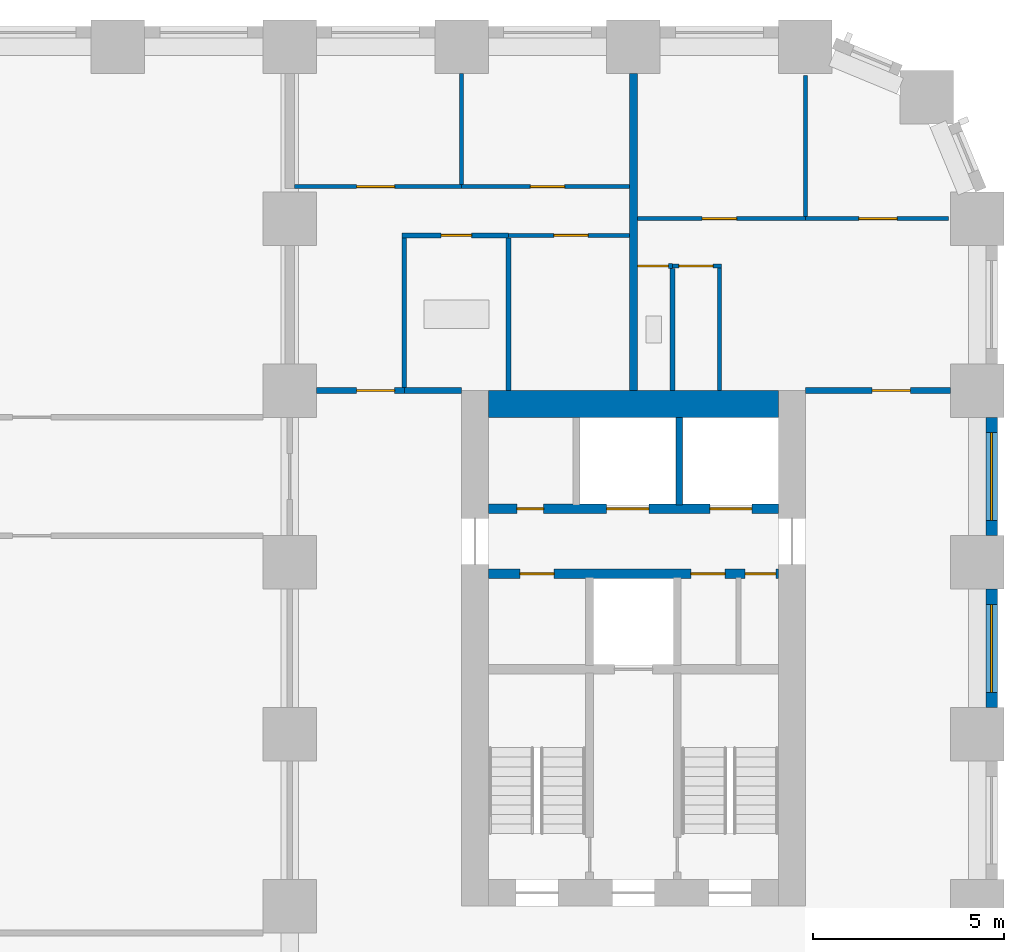
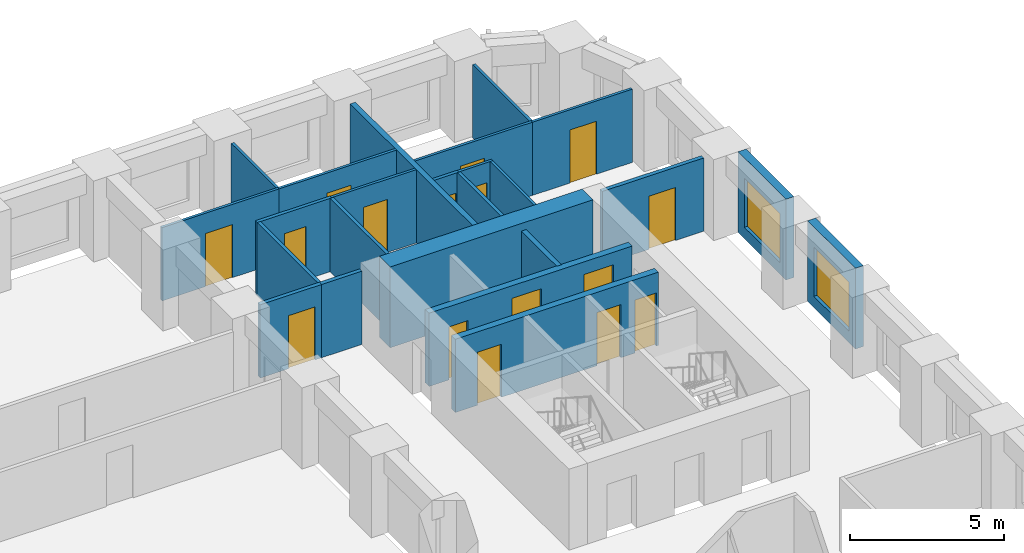
# One storey, part 8 of 12: 24 walls, 16 doors, 2 windows, 18 openings.
"""IFC4 building model written with IfcOpenShell, lengths in metres."""

from ifc_helpers import new_model, si_unit, direction, frame, frame_2d, origin, place, context, subcontext, project, spatial, rectangle, extrude, material, layer, layer_set, type_object, element, fill, save


model = new_model("IFC4")

# Units and contexts
model_context = context("Model", 3, precision=1e-05, world=origin(), true_north=direction((0.0, 1.0)))
body_context = subcontext(model_context, "Body", "Model", "MODEL_VIEW")
ifc_project = project(units=[si_unit("LENGTHUNIT", "METRE"), si_unit("AREAUNIT", "SQUARE_METRE"), si_unit("VOLUMEUNIT", "CUBIC_METRE"), si_unit("PLANEANGLEUNIT", "RADIAN"), si_unit("MASSUNIT", "GRAM", prefix="KILO")], contexts=[model_context])

# Site, building, storey
site_placement = place(None, origin())
site = spatial("IfcSite", under=ifc_project, at=site_placement, CompositionType="ELEMENT")
building_placement = place(site_placement, origin())
building = spatial("IfcBuilding", under=site, at=building_placement, Name="Girih Gate Residences", CompositionType="ELEMENT")
storey_placement = place(building_placement, frame((0.0, 0.0, 68.800048828125)))
storey = spatial("IfcBuildingStorey", under=building, at=storey_placement, Name="L18", CompositionType="ELEMENT", Elevation=68.800048828125)

# Wall, opening, door
ifc_material_1 = material(Name="Gypsum board on steel studs", Category="steel")
ifc_layer_1 = layer(ifc_material_1, 0.14990234375)
ifc_layer_set_1 = layer_set([ifc_layer_1], Name="Compartment wall 150 mm")
wall_type_1 = type_object("IfcWallType", Name="Compartment wall 150 mm", PredefinedType="PARTITIONING", material=ifc_layer_set_1)
wall_1_placement = place(storey_placement, frame((45.0, 40.5, 0.0), z_axis=(0.0, 0.0, 1.0), x_axis=(1.0, 0.0, 0.0)))
wall_1 = element("IfcWall", 1, at=wall_1_placement, inside=storey, type_object=wall_type_1, Name="L18 partition", PredefinedType="PARTITIONING", context=body_context, shape_type="SweptSolid", body=[
    extrude(rectangle(XDim=3.800048828125, YDim=0.14990234375, at=frame_2d((1.89990234375, 0.0))), origin(), (0.0, 0.0, 1.0), 2.89990234375),
])
opening_1_placement = place(wall_1_placement, frame((1.75, 0.0, 0.0)))
opening_1 = element("IfcOpeningElement", 2, at=opening_1_placement, cuts=wall_1, Name="Opening A18-028", PredefinedType="OPENING", context=body_context, shape_type="SweptSolid", body=[
    extrude(rectangle(XDim=1.0, YDim=2.10009765625, at=frame_2d((0.5, 1.050048828125))), frame((0.0, 0.0849609375, 0.0), z_axis=(0.0, -1.0, 0.0), x_axis=(1.0, 0.0, 0.0)), (0.0, 0.0, 1.0), 0.169921875),
])
ifc_material_2 = material(Name="Timber, fire-rated core", Category="wood")
door_type_1 = type_object("IfcDoorType", Name="Flat entrance door 1000x2100 FD30S", OperationType="NOTDEFINED", PredefinedType="DOOR", material=ifc_material_2)
door_1_placement = place(opening_1_placement, origin())
door_1 = element("IfcDoor", 3, at=door_1_placement, inside=storey, type_object=door_type_1, Name="Door A18-028", OperationType="SINGLE_SWING_RIGHT", OverallHeight=2.10009765625, OverallWidth=1.0, PredefinedType="DOOR", context=body_context, shape_type="SweptSolid", body=[
    extrude(rectangle(XDim=1.0, YDim=2.10009765625, at=frame_2d((0.5, 1.050048828125))), frame((0.0, 0.02490234375, 0.0), z_axis=(0.0, -1.0, 0.0), x_axis=(1.0, 0.0, 0.0)), (0.0, 0.0, 1.0), 0.050048828125),
])
fill(opening_1, door_1)

# Wall
wall_2_placement = place(storey_placement, frame((34.5, 40.5, 0.0), z_axis=(0.0, 0.0, 1.0), x_axis=(1.0, 0.0, 0.0)))
element("IfcWall", 4, at=wall_2_placement, inside=storey, type_object=wall_type_1, Name="L18 partition", PredefinedType="PARTITIONING", context=body_context, shape_type="SweptSolid", body=[
    extrude(rectangle(XDim=1.5, YDim=0.14990234375, at=frame_2d((0.75, 0.0))), origin(), (0.0, 0.0, 1.0), 2.89990234375),
])

# Wall, opening, door
wall_3_placement = place(storey_placement, frame((32.199951171875, 40.5, 0.0), z_axis=(0.0, 0.0, 1.0), x_axis=(1.0, 0.0, 0.0)))
wall_3 = element("IfcWall", 5, at=wall_3_placement, inside=storey, type_object=wall_type_1, Name="L18 partition", PredefinedType="PARTITIONING", context=body_context, shape_type="SweptSolid", body=[
    extrude(rectangle(XDim=2.300048828125, YDim=0.14990234375, at=frame_2d((1.14990234375, 0.0))), origin(), (0.0, 0.0, 1.0), 2.89990234375),
])
opening_2_placement = place(wall_3_placement, frame((1.050048828125, 0.0, 0.0)))
opening_2 = element("IfcOpeningElement", 6, at=opening_2_placement, cuts=wall_3, Name="Opening A18-033", PredefinedType="OPENING", context=body_context, shape_type="SweptSolid", body=[
    extrude(rectangle(XDim=1.0, YDim=2.10009765625, at=frame_2d((0.5, 1.050048828125))), frame((0.0, 0.0849609375, 0.0), z_axis=(0.0, -1.0, 0.0), x_axis=(1.0, 0.0, 0.0)), (0.0, 0.0, 1.0), 0.169921875),
])
door_2_placement = place(opening_2_placement, origin())
door_2 = element("IfcDoor", 7, at=door_2_placement, inside=storey, type_object=door_type_1, Name="Door A18-033", OperationType="SINGLE_SWING_RIGHT", OverallHeight=2.10009765625, OverallWidth=1.0, PredefinedType="DOOR", context=body_context, shape_type="SweptSolid", body=[
    extrude(rectangle(XDim=1.0, YDim=2.10009765625, at=frame_2d((0.5, 1.050048828125))), frame((0.0, 0.02490234375, 0.0), z_axis=(0.0, -1.0, 0.0), x_axis=(1.0, 0.0, 0.0)), (0.0, 0.0, 1.0), 0.050048828125),
])
fill(opening_2, door_2)

# Wall
ifc_material_3 = material(Name="Concrete C60/75", Category="concrete")
ifc_layer_2 = layer(ifc_material_3, 0.699951171875)
ifc_layer_set_2 = layer_set([ifc_layer_2], Name="Core wall RC 700 Concrete C60/75")
wall_type_2 = type_object("IfcWallType", Name="Core wall RC 700 Concrete C60/75", PredefinedType="SOLIDWALL", material=ifc_layer_set_2)
wall_4_placement = place(storey_placement, frame((36.699951171875, 40.14990234375, 0.0), z_axis=(0.0, 0.0, 1.0), x_axis=(1.0, 0.0, 0.0)))
element("IfcWall", 8, at=wall_4_placement, inside=storey, type_object=wall_type_2, Name="Core wall E-N L18", PredefinedType="SOLIDWALL", context=body_context, shape_type="SweptSolid", body=[
    extrude(rectangle(XDim=7.60009765625, YDim=0.699951171875, at=frame_2d((3.800048828125, 0.0))), origin(), (0.0, 0.0, 1.0), 3.199951171875),
])

# Wall, openings, doors
ifc_material_4 = material(Name="Concrete C40/50", Category="concrete")
ifc_layer_3 = layer(ifc_material_4, 0.25)
ifc_layer_set_3 = layer_set([ifc_layer_3], Name="Lift shaft wall 250")
wall_type_3 = type_object("IfcWallType", Name="Lift shaft wall 250", PredefinedType="SOLIDWALL", material=ifc_layer_set_3)
wall_5_placement = place(storey_placement, frame((36.699951171875, 35.699951171875, 0.0), z_axis=(0.0, 0.0, 1.0), x_axis=(1.0, 0.0, 0.0)))
wall_5 = element("IfcWall", 9, at=wall_5_placement, inside=storey, type_object=wall_type_3, Name="L18 E core wall H2", PredefinedType="SOLIDWALL", context=body_context, shape_type="SweptSolid", body=[
    extrude(rectangle(XDim=7.60009765625, YDim=0.25, at=frame_2d((3.800048828125, 0.0))), origin(), (0.0, 0.0, 1.0), 2.89990234375),
])
opening_3_placement = place(wall_5_placement, frame((6.72509765625, 0.0, 0.0)))
opening_3 = element("IfcOpeningElement", 10, at=opening_3_placement, cuts=wall_5, Name="Opening D-L18-E-007", PredefinedType="OPENING", context=body_context, shape_type="SweptSolid", body=[
    extrude(rectangle(XDim=0.800048828125, YDim=2.10009765625, at=frame_2d((0.39990234375, 1.050048828125))), frame((0.0, 0.135009765625, 0.0), z_axis=(0.0, -1.0, 0.0), x_axis=(1.0, 0.0, 0.0)), (0.0, 0.0, 1.0), 0.27001953125),
])
opening_4_placement = place(wall_5_placement, frame((5.300048828125, 0.0, 0.0)))
opening_4 = element("IfcOpeningElement", 11, at=opening_4_placement, cuts=wall_5, Name="Opening D-L18-E-008", PredefinedType="OPENING", context=body_context, shape_type="SweptSolid", body=[
    extrude(rectangle(XDim=0.89990234375, YDim=2.10009765625, at=frame_2d((0.449951171875, 1.050048828125))), frame((0.0, 0.135009765625, 0.0), z_axis=(0.0, -1.0, 0.0), x_axis=(1.0, 0.0, 0.0)), (0.0, 0.0, 1.0), 0.27001953125),
])
opening_5_placement = place(wall_5_placement, frame((0.824951171875, 0.0, 0.0)))
opening_5 = element("IfcOpeningElement", 12, at=opening_5_placement, cuts=wall_5, Name="Opening D-L18-E-009", PredefinedType="OPENING", context=body_context, shape_type="SweptSolid", body=[
    extrude(rectangle(XDim=0.89990234375, YDim=2.10009765625, at=frame_2d((0.449951171875, 1.050048828125))), frame((0.0, 0.135009765625, 0.0), z_axis=(0.0, -1.0, 0.0), x_axis=(1.0, 0.0, 0.0)), (0.0, 0.0, 1.0), 0.27001953125),
])
ifc_material_5 = material(Name="Painted steel, fire-resisting", Category="steel")
door_type_2 = type_object("IfcDoorType", Name="Fire door 800x2100", OperationType="SINGLE_SWING_LEFT", PredefinedType="DOOR", material=ifc_material_5)
door_3_placement = place(opening_3_placement, origin())
door_3 = element("IfcDoor", 13, at=door_3_placement, inside=storey, type_object=door_type_2, Name="L18 E cleaners store door", OperationType="SINGLE_SWING_LEFT", OverallHeight=2.10009765625, OverallWidth=0.800048828125, PredefinedType="DOOR", context=body_context, shape_type="SweptSolid", body=[
    extrude(rectangle(XDim=0.800048828125, YDim=2.10009765625, at=frame_2d((0.39990234375, 1.050048828125))), frame((0.0, 0.02490234375, 0.0), z_axis=(0.0, -1.0, 0.0), x_axis=(1.0, 0.0, 0.0)), (0.0, 0.0, 1.0), 0.050048828125),
])
fill(opening_3, door_3)
door_type_3 = type_object("IfcDoorType", Name="Fire door 900x2100", OperationType="SINGLE_SWING_LEFT", PredefinedType="DOOR", material=ifc_material_5)
door_4_placement = place(opening_4_placement, origin())
door_4 = element("IfcDoor", 14, at=door_4_placement, inside=storey, type_object=door_type_3, Name="L18 E riser room door", OperationType="SINGLE_SWING_LEFT", OverallHeight=2.10009765625, OverallWidth=0.89990234375, PredefinedType="DOOR", context=body_context, shape_type="SweptSolid", body=[
    extrude(rectangle(XDim=0.89990234375, YDim=2.10009765625, at=frame_2d((0.449951171875, 1.050048828125))), frame((0.0, 0.02490234375, 0.0), z_axis=(0.0, -1.0, 0.0), x_axis=(1.0, 0.0, 0.0)), (0.0, 0.0, 1.0), 0.050048828125),
])
fill(opening_4, door_4)
door_5_placement = place(opening_5_placement, origin())
door_5 = element("IfcDoor", 15, at=door_5_placement, inside=storey, type_object=door_type_3, Name="L18 E electrical room door", OperationType="SINGLE_SWING_LEFT", OverallHeight=2.10009765625, OverallWidth=0.89990234375, PredefinedType="DOOR", context=body_context, shape_type="SweptSolid", body=[
    extrude(rectangle(XDim=0.89990234375, YDim=2.10009765625, at=frame_2d((0.449951171875, 1.050048828125))), frame((0.0, 0.02490234375, 0.0), z_axis=(0.0, -1.0, 0.0), x_axis=(1.0, 0.0, 0.0)), (0.0, 0.0, 1.0), 0.050048828125),
])
fill(opening_5, door_5)

wall_6_placement = place(storey_placement, frame((36.699951171875, 37.39990234375, 0.0), z_axis=(0.0, 0.0, 1.0), x_axis=(1.0, 0.0, 0.0)))
wall_6 = element("IfcWall", 16, at=wall_6_placement, inside=storey, type_object=wall_type_3, Name="L18 E core wall H3", PredefinedType="SOLIDWALL", context=body_context, shape_type="SweptSolid", body=[
    extrude(rectangle(XDim=7.60009765625, YDim=0.25, at=frame_2d((3.800048828125, 0.0))), origin(), (0.0, 0.0, 1.0), 2.89990234375),
])
opening_6_placement = place(wall_6_placement, frame((5.800048828125, 0.0, 0.0)))
opening_6 = element("IfcOpeningElement", 17, at=opening_6_placement, cuts=wall_6, Name="Opening D-L18-E-003", PredefinedType="OPENING", context=body_context, shape_type="SweptSolid", body=[
    extrude(rectangle(XDim=1.10009765625, YDim=2.39990234375, at=frame_2d((0.550048828125, 1.199951171875))), frame((0.0, 0.135009765625, 0.0), z_axis=(0.0, -1.0, 0.0), x_axis=(1.0, 0.0, 0.0)), (0.0, 0.0, 1.0), 0.27001953125),
])
opening_7_placement = place(wall_6_placement, frame((3.10009765625, 0.0, 0.0)))
opening_7 = element("IfcOpeningElement", 18, at=opening_7_placement, cuts=wall_6, Name="Opening D-L18-E-004", PredefinedType="OPENING", context=body_context, shape_type="SweptSolid", body=[
    extrude(rectangle(XDim=1.10009765625, YDim=2.39990234375, at=frame_2d((0.550048828125, 1.199951171875))), frame((0.0, 0.135009765625, 0.0), z_axis=(0.0, -1.0, 0.0), x_axis=(1.0, 0.0, 0.0)), (0.0, 0.0, 1.0), 0.27001953125),
])
opening_8_placement = place(wall_6_placement, frame((0.75, 0.0, 0.0)))
opening_8 = element("IfcOpeningElement", 19, at=opening_8_placement, cuts=wall_6, Name="Opening D-L18-E-006", PredefinedType="OPENING", context=body_context, shape_type="SweptSolid", body=[
    extrude(rectangle(XDim=0.699951171875, YDim=2.10009765625, at=frame_2d((0.35009765625, 1.050048828125))), frame((0.0, 0.135009765625, 0.0), z_axis=(0.0, -1.0, 0.0), x_axis=(1.0, 0.0, 0.0)), (0.0, 0.0, 1.0), 0.27001953125),
])
ifc_material_6 = material(Name="Stainless steel", Category="steel")
door_type_4 = type_object("IfcDoorType", Name="Lift landing door 1100x2400", OperationType="SLIDING_TO_LEFT", PredefinedType="DOOR", material=ifc_material_6)
door_6_placement = place(opening_6_placement, origin())
door_6 = element("IfcDoor", 20, at=door_6_placement, inside=storey, type_object=door_type_4, Name="L18 lift LR-E1 landing door", OperationType="SLIDING_TO_LEFT", OverallHeight=2.39990234375, OverallWidth=1.10009765625, PredefinedType="DOOR", context=body_context, shape_type="SweptSolid", body=[
    extrude(rectangle(XDim=1.10009765625, YDim=2.39990234375, at=frame_2d((0.550048828125, 1.199951171875))), frame((0.0, 0.02490234375, 0.0), z_axis=(0.0, -1.0, 0.0), x_axis=(1.0, 0.0, 0.0)), (0.0, 0.0, 1.0), 0.050048828125),
])
fill(opening_6, door_6)
door_7_placement = place(opening_7_placement, origin())
door_7 = element("IfcDoor", 21, at=door_7_placement, inside=storey, type_object=door_type_4, Name="L18 lift LR-E2 landing door", OperationType="SLIDING_TO_LEFT", OverallHeight=2.39990234375, OverallWidth=1.10009765625, PredefinedType="DOOR", context=body_context, shape_type="SweptSolid", body=[
    extrude(rectangle(XDim=1.10009765625, YDim=2.39990234375, at=frame_2d((0.550048828125, 1.199951171875))), frame((0.0, 0.02490234375, 0.0), z_axis=(0.0, -1.0, 0.0), x_axis=(1.0, 0.0, 0.0)), (0.0, 0.0, 1.0), 0.050048828125),
])
fill(opening_7, door_7)
door_type_5 = type_object("IfcDoorType", Name="Riser access door 700x2100", OperationType="SINGLE_SWING_LEFT", PredefinedType="DOOR", material=ifc_material_5)
door_8_placement = place(opening_8_placement, origin())
door_8 = element("IfcDoor", 22, at=door_8_placement, inside=storey, type_object=door_type_5, Name="L18 E riser room door", OperationType="SINGLE_SWING_LEFT", OverallHeight=2.10009765625, OverallWidth=0.699951171875, PredefinedType="DOOR", context=body_context, shape_type="SweptSolid", body=[
    extrude(rectangle(XDim=0.699951171875, YDim=2.10009765625, at=frame_2d((0.35009765625, 1.050048828125))), frame((0.0, 0.02490234375, 0.0), z_axis=(0.0, -1.0, 0.0), x_axis=(1.0, 0.0, 0.0)), (0.0, 0.0, 1.0), 0.050048828125),
])
fill(opening_8, door_8)

# Wall, opening, door
ifc_layer_4 = layer(ifc_material_1, 0.10009765625)
ifc_layer_set_4 = layer_set([ifc_layer_4], Name="Partition 100 mm")
wall_type_4 = type_object("IfcWallType", Name="Partition 100 mm", PredefinedType="PARTITIONING", material=ifc_layer_set_4)
wall_7_placement = place(storey_placement, frame((40.60009765625, 45.0, 0.0), z_axis=(0.0, 0.0, 1.0), x_axis=(1.0, 0.0, 0.0)))
wall_7 = element("IfcWall", 23, at=wall_7_placement, inside=storey, type_object=wall_type_4, Name="L18 partition", PredefinedType="PARTITIONING", context=body_context, shape_type="SweptSolid", body=[
    extrude(rectangle(XDim=4.39990234375, YDim=0.10009765625, at=frame_2d((2.199951171875, 0.0))), origin(), (0.0, 0.0, 1.0), 2.89990234375),
])
opening_9_placement = place(wall_7_placement, frame((1.699951171875, 0.0, 0.0)))
opening_9 = element("IfcOpeningElement", 24, at=opening_9_placement, cuts=wall_7, Name="Opening A18-025", PredefinedType="OPENING", context=body_context, shape_type="SweptSolid", body=[
    extrude(rectangle(XDim=0.89990234375, YDim=2.10009765625, at=frame_2d((0.449951171875, 1.050048828125))), frame((0.0, 0.06005859375, 0.0), z_axis=(0.0, -1.0, 0.0), x_axis=(1.0, 0.0, 0.0)), (0.0, 0.0, 1.0), 0.1201171875),
])
ifc_material_7 = material(Name="Timber", Category="wood")
door_type_6 = type_object("IfcDoorType", Name="Bedroom door 900x2100", OperationType="NOTDEFINED", PredefinedType="DOOR", material=ifc_material_7)
door_9_placement = place(opening_9_placement, origin())
door_9 = element("IfcDoor", 25, at=door_9_placement, inside=storey, type_object=door_type_6, Name="Door A18-025", OperationType="SINGLE_SWING_LEFT", OverallHeight=2.10009765625, OverallWidth=0.89990234375, PredefinedType="DOOR", context=body_context, shape_type="SweptSolid", body=[
    extrude(rectangle(XDim=0.89990234375, YDim=2.10009765625, at=frame_2d((0.449951171875, 1.050048828125))), frame((0.0, 0.02490234375, 0.0), z_axis=(0.0, -1.0, 0.0), x_axis=(1.0, 0.0, 0.0)), (0.0, 0.0, 1.0), 0.050048828125),
])
fill(opening_9, door_9)

# Walls
wall_8_placement = place(storey_placement, frame((45.0, 45.050048828125, 0.0), z_axis=(0.0, 0.0, 1.0), x_axis=(0.0, 1.0, 0.0)))
element("IfcWall", 26, at=wall_8_placement, inside=storey, type_object=wall_type_4, Name="L18 partition", PredefinedType="PARTITIONING", context=body_context, shape_type="SweptSolid", body=[
    extrude(rectangle(XDim=3.6923828125, YDim=0.10009765625, at=frame_2d((1.84619140625, 0.0))), origin(), (0.0, 0.0, 1.0), 2.89990234375),
])
wall_9_placement = place(storey_placement, frame((42.75, 40.5, 0.0), z_axis=(0.0, 0.0, 1.0), x_axis=(0.0, 1.0, 0.0)))
element("IfcWall", 27, at=wall_9_placement, inside=storey, type_object=wall_type_4, Name="L18 partition", PredefinedType="PARTITIONING", context=body_context, shape_type="SweptSolid", body=[
    extrude(rectangle(XDim=3.2099609375, YDim=0.10009765625, at=frame_2d((1.60498046875, 0.0))), origin(), (0.0, 0.0, 1.0), 2.89990234375),
])

# Wall, opening, door
wall_10_placement = place(storey_placement, frame((42.800048828125, 43.760009765625, 0.0), z_axis=(0.0, 0.0, 1.0), x_axis=(-1.0, 0.0, 0.0)))
wall_10 = element("IfcWall", 28, at=wall_10_placement, inside=storey, type_object=wall_type_4, Name="L18 partition", PredefinedType="PARTITIONING", context=body_context, shape_type="SweptSolid", body=[
    extrude(rectangle(XDim=1.27734375, YDim=0.10009765625, at=frame_2d((0.638671875, 0.0))), origin(), (0.0, 0.0, 1.0), 2.89990234375),
])
opening_10_placement = place(wall_10_placement, frame((0.213623046875, 0.0, 0.0)))
opening_10 = element("IfcOpeningElement", 29, at=opening_10_placement, cuts=wall_10, Name="Opening A18-026", PredefinedType="OPENING", context=body_context, shape_type="SweptSolid", body=[
    extrude(rectangle(XDim=0.89990234375, YDim=2.10009765625, at=frame_2d((0.449951171875, 1.050048828125))), frame((0.0, 0.06005859375, 0.0), z_axis=(0.0, -1.0, 0.0), x_axis=(1.0, 0.0, 0.0)), (0.0, 0.0, 1.0), 0.1201171875),
])
door_type_7 = type_object("IfcDoorType", Name="Kitchen door 900x2100", OperationType="NOTDEFINED", PredefinedType="DOOR", material=ifc_material_7)
door_10_placement = place(opening_10_placement, origin())
door_10 = element("IfcDoor", 30, at=door_10_placement, inside=storey, type_object=door_type_7, Name="Door A18-026", OperationType="SINGLE_SWING_RIGHT", OverallHeight=2.10009765625, OverallWidth=0.89990234375, PredefinedType="DOOR", context=body_context, shape_type="SweptSolid", body=[
    extrude(rectangle(XDim=0.89990234375, YDim=2.10009765625, at=frame_2d((0.449951171875, 1.050048828125))), frame((0.0, 0.02490234375, 0.0), z_axis=(0.0, -1.0, 0.0), x_axis=(1.0, 0.0, 0.0)), (0.0, 0.0, 1.0), 0.050048828125),
])
fill(opening_10, door_10)

wall_11_placement = place(storey_placement, frame((45.0, 45.0, 0.0), z_axis=(0.0, 0.0, 1.0), x_axis=(1.0, 0.0, 0.0)))
wall_11 = element("IfcWall", 31, at=wall_11_placement, inside=storey, type_object=wall_type_4, Name="L18 partition", PredefinedType="PARTITIONING", context=body_context, shape_type="SweptSolid", body=[
    extrude(rectangle(XDim=3.742431640625, YDim=0.10009765625, at=frame_2d((1.87109375, 0.0))), origin(), (0.0, 0.0, 1.0), 2.89990234375),
])
opening_11_placement = place(wall_11_placement, frame((1.39990234375, 0.0, 0.0)))
opening_11 = element("IfcOpeningElement", 32, at=opening_11_placement, cuts=wall_11, Name="Opening A18-027", PredefinedType="OPENING", context=body_context, shape_type="SweptSolid", body=[
    extrude(rectangle(XDim=1.0, YDim=2.10009765625, at=frame_2d((0.5, 1.050048828125))), frame((0.0, 0.06005859375, 0.0), z_axis=(0.0, -1.0, 0.0), x_axis=(1.0, 0.0, 0.0)), (0.0, 0.0, 1.0), 0.1201171875),
])
door_type_8 = type_object("IfcDoorType", Name="Living room door 1000x2100", OperationType="NOTDEFINED", PredefinedType="DOOR", material=ifc_material_7)
door_11_placement = place(opening_11_placement, origin())
door_11 = element("IfcDoor", 33, at=door_11_placement, inside=storey, type_object=door_type_8, Name="Door A18-027", OperationType="SINGLE_SWING_RIGHT", OverallHeight=2.10009765625, OverallWidth=1.0, PredefinedType="DOOR", context=body_context, shape_type="SweptSolid", body=[
    extrude(rectangle(XDim=1.0, YDim=2.10009765625, at=frame_2d((0.5, 1.050048828125))), frame((0.0, 0.02490234375, 0.0), z_axis=(0.0, -1.0, 0.0), x_axis=(1.0, 0.0, 0.0)), (0.0, 0.0, 1.0), 0.050048828125),
])
fill(opening_11, door_11)

wall_12_placement = place(storey_placement, frame((36.0, 45.840087890625, 0.0), z_axis=(0.0, 0.0, 1.0), x_axis=(1.0, 0.0, 0.0)))
wall_12 = element("IfcWall", 34, at=wall_12_placement, inside=storey, type_object=wall_type_4, Name="L18 partition", PredefinedType="PARTITIONING", context=body_context, shape_type="SweptSolid", body=[
    extrude(rectangle(XDim=4.39990234375, YDim=0.10009765625, at=frame_2d((2.199951171875, 0.0))), origin(), (0.0, 0.0, 1.0), 2.89990234375),
])
opening_12_placement = place(wall_12_placement, frame((1.800048828125, 0.0, 0.0)))
opening_12 = element("IfcOpeningElement", 35, at=opening_12_placement, cuts=wall_12, Name="Opening A18-030", PredefinedType="OPENING", context=body_context, shape_type="SweptSolid", body=[
    extrude(rectangle(XDim=0.89990234375, YDim=2.10009765625, at=frame_2d((0.449951171875, 1.050048828125))), frame((0.0, 0.06005859375, 0.0), z_axis=(0.0, -1.0, 0.0), x_axis=(1.0, 0.0, 0.0)), (0.0, 0.0, 1.0), 0.1201171875),
])
door_12_placement = place(opening_12_placement, origin())
door_12 = element("IfcDoor", 36, at=door_12_placement, inside=storey, type_object=door_type_6, Name="Door A18-030", OperationType="SINGLE_SWING_RIGHT", OverallHeight=2.10009765625, OverallWidth=0.89990234375, PredefinedType="DOOR", context=body_context, shape_type="SweptSolid", body=[
    extrude(rectangle(XDim=0.89990234375, YDim=2.10009765625, at=frame_2d((0.449951171875, 1.050048828125))), frame((0.0, 0.02490234375, 0.0), z_axis=(0.0, -1.0, 0.0), x_axis=(1.0, 0.0, 0.0)), (0.0, 0.0, 1.0), 0.050048828125),
])
fill(opening_12, door_12)

# Wall
wall_13_placement = place(storey_placement, frame((36.0, 45.889892578125, 0.0), z_axis=(0.0, 0.0, 1.0), x_axis=(0.0, 1.0, 0.0)))
element("IfcWall", 37, at=wall_13_placement, inside=storey, type_object=wall_type_4, Name="L18 partition", PredefinedType="PARTITIONING", context=body_context, shape_type="SweptSolid", body=[
    extrude(rectangle(XDim=2.91015625, YDim=0.10009765625, at=frame_2d((1.455078125, 0.0))), origin(), (0.0, 0.0, 1.0), 2.89990234375),
])

# Wall, opening, door
wall_14_placement = place(storey_placement, frame((40.39990234375, 44.56005859375, 0.0), z_axis=(0.0, 0.0, 1.0), x_axis=(-1.0, 0.0, 0.0)))
wall_14 = element("IfcWall", 38, at=wall_14_placement, inside=storey, type_object=wall_type_4, Name="L18 partition", PredefinedType="PARTITIONING", context=body_context, shape_type="SweptSolid", body=[
    extrude(rectangle(XDim=3.16845703125, YDim=0.10009765625, at=frame_2d((1.584228515625, 0.0))), origin(), (0.0, 0.0, 1.0), 2.89990234375),
])
opening_13_placement = place(wall_14_placement, frame((1.084228515625, 0.0, 0.0)))
opening_13 = element("IfcOpeningElement", 39, at=opening_13_placement, cuts=wall_14, Name="Opening A18-031", PredefinedType="OPENING", context=body_context, shape_type="SweptSolid", body=[
    extrude(rectangle(XDim=0.89990234375, YDim=2.10009765625, at=frame_2d((0.449951171875, 1.050048828125))), frame((0.0, 0.06005859375, 0.0), z_axis=(0.0, -1.0, 0.0), x_axis=(1.0, 0.0, 0.0)), (0.0, 0.0, 1.0), 0.1201171875),
])
door_13_placement = place(opening_13_placement, origin())
door_13 = element("IfcDoor", 40, at=door_13_placement, inside=storey, type_object=door_type_7, Name="Door A18-031", OperationType="SINGLE_SWING_LEFT", OverallHeight=2.10009765625, OverallWidth=0.89990234375, PredefinedType="DOOR", context=body_context, shape_type="SweptSolid", body=[
    extrude(rectangle(XDim=0.89990234375, YDim=2.10009765625, at=frame_2d((0.449951171875, 1.050048828125))), frame((0.0, 0.02490234375, 0.0), z_axis=(0.0, -1.0, 0.0), x_axis=(1.0, 0.0, 0.0)), (0.0, 0.0, 1.0), 0.050048828125),
])
fill(opening_13, door_13)

wall_15_placement = place(storey_placement, frame((31.625, 45.840087890625, 0.0), z_axis=(0.0, 0.0, 1.0), x_axis=(1.0, 0.0, 0.0)))
wall_15 = element("IfcWall", 41, at=wall_15_placement, inside=storey, type_object=wall_type_4, Name="L18 partition", PredefinedType="PARTITIONING", context=body_context, shape_type="SweptSolid", body=[
    extrude(rectangle(XDim=4.375, YDim=0.10009765625, at=frame_2d((2.1875, 0.0))), origin(), (0.0, 0.0, 1.0), 2.89990234375),
])
opening_14_placement = place(wall_15_placement, frame((1.625, 0.0, 0.0)))
opening_14 = element("IfcOpeningElement", 42, at=opening_14_placement, cuts=wall_15, Name="Opening A18-032", PredefinedType="OPENING", context=body_context, shape_type="SweptSolid", body=[
    extrude(rectangle(XDim=1.0, YDim=2.10009765625, at=frame_2d((0.5, 1.050048828125))), frame((0.0, 0.06005859375, 0.0), z_axis=(0.0, -1.0, 0.0), x_axis=(1.0, 0.0, 0.0)), (0.0, 0.0, 1.0), 0.1201171875),
])
door_14_placement = place(opening_14_placement, origin())
door_14 = element("IfcDoor", 43, at=door_14_placement, inside=storey, type_object=door_type_8, Name="Door A18-032", OperationType="SINGLE_SWING_LEFT", OverallHeight=2.10009765625, OverallWidth=1.0, PredefinedType="DOOR", context=body_context, shape_type="SweptSolid", body=[
    extrude(rectangle(XDim=1.0, YDim=2.10009765625, at=frame_2d((0.5, 1.050048828125))), frame((0.0, 0.02490234375, 0.0), z_axis=(0.0, -1.0, 0.0), x_axis=(1.0, 0.0, 0.0)), (0.0, 0.0, 1.0), 0.050048828125),
])
fill(opening_14, door_14)

# Wall
ifc_layer_5 = layer(ifc_material_1, 0.199951171875)
ifc_layer_set_5 = layer_set([ifc_layer_5], Name="Party wall 200 mm")
wall_type_5 = type_object("IfcWallType", Name="Party wall 200 mm", PredefinedType="PARTITIONING", material=ifc_layer_set_5)
wall_16_placement = place(storey_placement, frame((40.5, 40.5, 0.0), z_axis=(0.0, 0.0, 1.0), x_axis=(0.0, 1.0, 0.0)))
element("IfcWall", 44, at=wall_16_placement, inside=storey, type_object=wall_type_5, Name="L18 partition", PredefinedType="PARTITIONING", context=body_context, shape_type="SweptSolid", body=[
    extrude(rectangle(XDim=8.300048828125, YDim=0.199951171875, at=frame_2d((4.14990234375, 0.0))), origin(), (0.0, 0.0, 1.0), 2.89990234375),
])

# Wall, opening, window
ifc_material_8 = material(Name="Precast concrete C50/60", Category="concrete")
ifc_layer_6 = layer(ifc_material_8, 0.080078125, Name="Outer leaf")
ifc_material_9 = material(Name="Rigid PIR insulation")
ifc_layer_7 = layer(ifc_material_9, 0.14990234375, Name="Insulation")
ifc_material_10 = material(Name="Precast concrete C40/50", Category="concrete")
ifc_layer_8 = layer(ifc_material_10, 0.070068359375, Name="Inner leaf")
ifc_layer_set_6 = layer_set([ifc_layer_6, ifc_layer_7, ifc_layer_8], Name="Precast concrete C50/60 external wall 300")
wall_type_6 = type_object("IfcWallType", Name="Precast concrete C50/60 external wall 300", PredefinedType="SOLIDWALL", material=ifc_layer_set_6)
wall_17_placement = place(storey_placement, frame((49.875, 35.300048828125, 0.0), z_axis=(0.0, 0.0, 1.0), x_axis=(0.0, -1.0, 0.0)))
wall_17 = element("IfcWall", 45, at=wall_17_placement, inside=storey, type_object=wall_type_6, Name="External wall E0495_0045.6", PredefinedType="SOLIDWALL", context=body_context, shape_type="SweptSolid", body=[
    extrude(rectangle(XDim=3.10009765625, YDim=0.300048828125, at=frame_2d((1.550048828125, 0.0))), origin(), (0.0, 0.0, 1.0), 3.199951171875),
])
opening_15_placement = place(wall_17_placement, frame((0.39990234375, 0.0, 0.449951171875)))
opening_15 = element("IfcOpeningElement", 46, at=opening_15_placement, cuts=wall_17, Name="Opening W-1", PredefinedType="OPENING", context=body_context, shape_type="SweptSolid", body=[
    extrude(rectangle(XDim=2.300048828125, YDim=1.949951171875, at=frame_2d((1.14990234375, 0.97509765625))), frame((0.0, 0.159912109375, 0.0), z_axis=(0.0, -1.0, 0.0), x_axis=(1.0, 0.0, 0.0)), (0.0, 0.0, 1.0), 0.320068359375),
])
ifc_material_11 = material(Name="Double glazing in aluminium frame", Category="aluminium")
window_type = type_object("IfcWindowType", Name="Window W-1 2300x1950", PartitioningType="SINGLE_PANEL", PredefinedType="WINDOW", material=ifc_material_11)
window_1_placement = place(opening_15_placement, origin())
window_1 = element("IfcWindow", 47, at=window_1_placement, inside=storey, type_object=window_type, Name="Window W-1 E0495_0045.6", OverallHeight=1.949951171875, OverallWidth=2.300048828125, PartitioningType="SINGLE_PANEL", PredefinedType="WINDOW", context=body_context, shape_type="SweptSolid", body=[
    extrude(rectangle(XDim=2.300048828125, YDim=1.949951171875, at=frame_2d((1.14990234375, 0.97509765625))), frame((0.0, 0.030029296875, 0.0), z_axis=(0.0, -1.0, 0.0), x_axis=(1.0, 0.0, 0.0)), (0.0, 0.0, 1.0), 0.06005859375),
])
fill(opening_15, window_1)

wall_18_placement = place(storey_placement, frame((49.875, 39.800048828125, 0.0), z_axis=(0.0, 0.0, 1.0), x_axis=(0.0, -1.0, 0.0)))
wall_18 = element("IfcWall", 48, at=wall_18_placement, inside=storey, type_object=wall_type_6, Name="External wall E0495_0045.7", PredefinedType="SOLIDWALL", context=body_context, shape_type="SweptSolid", body=[
    extrude(rectangle(XDim=3.10009765625, YDim=0.300048828125, at=frame_2d((1.550048828125, 0.0))), origin(), (0.0, 0.0, 1.0), 3.199951171875),
])
opening_16_placement = place(wall_18_placement, frame((0.39990234375, 0.0, 0.449951171875)))
opening_16 = element("IfcOpeningElement", 49, at=opening_16_placement, cuts=wall_18, Name="Opening W-1", PredefinedType="OPENING", context=body_context, shape_type="SweptSolid", body=[
    extrude(rectangle(XDim=2.300048828125, YDim=1.949951171875, at=frame_2d((1.14990234375, 0.97509765625))), frame((0.0, 0.159912109375, 0.0), z_axis=(0.0, -1.0, 0.0), x_axis=(1.0, 0.0, 0.0)), (0.0, 0.0, 1.0), 0.320068359375),
])
window_2_placement = place(opening_16_placement, origin())
window_2 = element("IfcWindow", 50, at=window_2_placement, inside=storey, type_object=window_type, Name="Window W-1 E0495_0045.7", OverallHeight=1.949951171875, OverallWidth=2.300048828125, PartitioningType="SINGLE_PANEL", PredefinedType="WINDOW", context=body_context, shape_type="SweptSolid", body=[
    extrude(rectangle(XDim=2.300048828125, YDim=1.949951171875, at=frame_2d((1.14990234375, 0.97509765625))), frame((0.0, 0.030029296875, 0.0), z_axis=(0.0, -1.0, 0.0), x_axis=(1.0, 0.0, 0.0)), (0.0, 0.0, 1.0), 0.06005859375),
])
fill(opening_16, window_2)

# Wall
ifc_layer_9 = layer(ifc_material_4, 0.175048828125)
ifc_layer_set_7 = layer_set([ifc_layer_9], Name="Riser shaft wall 175")
wall_type_7 = type_object("IfcWallType", Name="Riser shaft wall 175", PredefinedType="SOLIDWALL", material=ifc_layer_set_7)
wall_19_placement = place(storey_placement, frame((41.699951171875, 37.5, 0.0), z_axis=(0.0, 0.0, 1.0), x_axis=(0.0, 1.0, 0.0)))
element("IfcWall", 51, at=wall_19_placement, inside=storey, type_object=wall_type_7, Name="L18 E core wall V1c", PredefinedType="SOLIDWALL", context=body_context, shape_type="SweptSolid", body=[
    extrude(rectangle(XDim=2.300048828125, YDim=0.175048828125, at=frame_2d((1.14990234375, 0.0))), origin(), (0.0, 0.0, 1.0), 2.89990234375),
])

# Wall, opening, door
ifc_layer_10 = layer(ifc_material_1, 0.125)
ifc_layer_set_8 = layer_set([ifc_layer_10], Name="Wet room wall 125 mm")
wall_type_8 = type_object("IfcWallType", Name="Wet room wall 125 mm", PredefinedType="PARTITIONING", material=ifc_layer_set_8)
wall_20_placement = place(storey_placement, frame((41.522705078125, 43.760009765625, 0.0), z_axis=(0.0, 0.0, 1.0), x_axis=(-1.0, 0.0, 0.0)))
wall_20 = element("IfcWall", 52, at=wall_20_placement, inside=storey, type_object=wall_type_8, Name="L18 partition", PredefinedType="PARTITIONING", context=body_context, shape_type="SweptSolid", body=[
    extrude(rectangle(XDim=0.922607421875, YDim=0.125, at=frame_2d((0.46142578125, 0.0))), origin(), (0.0, 0.0, 1.0), 2.89990234375),
])
opening_17_placement = place(wall_20_placement, frame((0.111328125, 0.0, 0.0)))
opening_17 = element("IfcOpeningElement", 53, at=opening_17_placement, cuts=wall_20, Name="Opening A18-024", PredefinedType="OPENING", context=body_context, shape_type="SweptSolid", body=[
    extrude(rectangle(XDim=0.800048828125, YDim=2.10009765625, at=frame_2d((0.39990234375, 1.050048828125))), frame((0.0, 0.072509765625, 0.0), z_axis=(0.0, -1.0, 0.0), x_axis=(1.0, 0.0, 0.0)), (0.0, 0.0, 1.0), 0.14501953125),
])
door_type_9 = type_object("IfcDoorType", Name="Bathroom door 800x2100", OperationType="NOTDEFINED", PredefinedType="DOOR", material=ifc_material_7)
door_15_placement = place(opening_17_placement, origin())
door_15 = element("IfcDoor", 54, at=door_15_placement, inside=storey, type_object=door_type_9, Name="Door A18-024", OperationType="SINGLE_SWING_RIGHT", OverallHeight=2.10009765625, OverallWidth=0.800048828125, PredefinedType="DOOR", context=body_context, shape_type="SweptSolid", body=[
    extrude(rectangle(XDim=0.800048828125, YDim=2.10009765625, at=frame_2d((0.39990234375, 1.050048828125))), frame((0.0, 0.02490234375, 0.0), z_axis=(0.0, -1.0, 0.0), x_axis=(1.0, 0.0, 0.0)), (0.0, 0.0, 1.0), 0.050048828125),
])
fill(opening_17, door_15)

# Walls
wall_21_placement = place(storey_placement, frame((41.52294921875, 40.5, 0.0), z_axis=(0.0, 0.0, 1.0), x_axis=(0.0, 1.0, 0.0)))
element("IfcWall", 55, at=wall_21_placement, inside=storey, type_object=wall_type_8, Name="L18 partition", PredefinedType="PARTITIONING", context=body_context, shape_type="SweptSolid", body=[
    extrude(rectangle(XDim=3.197509765625, YDim=0.125, at=frame_2d((1.5986328125, 0.0))), origin(), (0.0, 0.0, 1.0), 2.89990234375),
])
wall_22_placement = place(storey_placement, frame((34.5, 40.574951171875, 0.0), z_axis=(0.0, 0.0, 1.0), x_axis=(0.0, 1.0, 0.0)))
element("IfcWall", 56, at=wall_22_placement, inside=storey, type_object=wall_type_8, Name="L18 partition", PredefinedType="PARTITIONING", context=body_context, shape_type="SweptSolid", body=[
    extrude(rectangle(XDim=3.922607421875, YDim=0.125, at=frame_2d((1.96142578125, 0.0))), origin(), (0.0, 0.0, 1.0), 2.89990234375),
])

# Wall, opening, door
wall_23_placement = place(storey_placement, frame((37.2314453125, 44.56005859375, 0.0), z_axis=(0.0, 0.0, 1.0), x_axis=(-1.0, 0.0, 0.0)))
wall_23 = element("IfcWall", 57, at=wall_23_placement, inside=storey, type_object=wall_type_8, Name="L18 partition", PredefinedType="PARTITIONING", context=body_context, shape_type="SweptSolid", body=[
    extrude(rectangle(XDim=2.7939453125, YDim=0.125, at=frame_2d((1.39697265625, 0.0))), origin(), (0.0, 0.0, 1.0), 2.89990234375),
])
opening_18_placement = place(wall_23_placement, frame((0.9658203125, 0.0, 0.0)))
opening_18 = element("IfcOpeningElement", 58, at=opening_18_placement, cuts=wall_23, Name="Opening A18-029", PredefinedType="OPENING", context=body_context, shape_type="SweptSolid", body=[
    extrude(rectangle(XDim=0.800048828125, YDim=2.10009765625, at=frame_2d((0.39990234375, 1.050048828125))), frame((0.0, 0.072509765625, 0.0), z_axis=(0.0, -1.0, 0.0), x_axis=(1.0, 0.0, 0.0)), (0.0, 0.0, 1.0), 0.14501953125),
])
door_16_placement = place(opening_18_placement, origin())
door_16 = element("IfcDoor", 59, at=door_16_placement, inside=storey, type_object=door_type_9, Name="Door A18-029", OperationType="SINGLE_SWING_LEFT", OverallHeight=2.10009765625, OverallWidth=0.800048828125, PredefinedType="DOOR", context=body_context, shape_type="SweptSolid", body=[
    extrude(rectangle(XDim=0.800048828125, YDim=2.10009765625, at=frame_2d((0.39990234375, 1.050048828125))), frame((0.0, 0.02490234375, 0.0), z_axis=(0.0, -1.0, 0.0), x_axis=(1.0, 0.0, 0.0)), (0.0, 0.0, 1.0), 0.050048828125),
])
fill(opening_18, door_16)

# Wall
wall_24_placement = place(storey_placement, frame((37.23095703125, 40.5, 0.0), z_axis=(0.0, 0.0, 1.0), x_axis=(0.0, 1.0, 0.0)))
element("IfcWall", 60, at=wall_24_placement, inside=storey, type_object=wall_type_8, Name="L18 partition", PredefinedType="PARTITIONING", context=body_context, shape_type="SweptSolid", body=[
    extrude(rectangle(XDim=3.99755859375, YDim=0.125, at=frame_2d((1.998779296875, 0.0))), origin(), (0.0, 0.0, 1.0), 2.89990234375),
])

save(model, "model.ifc")
